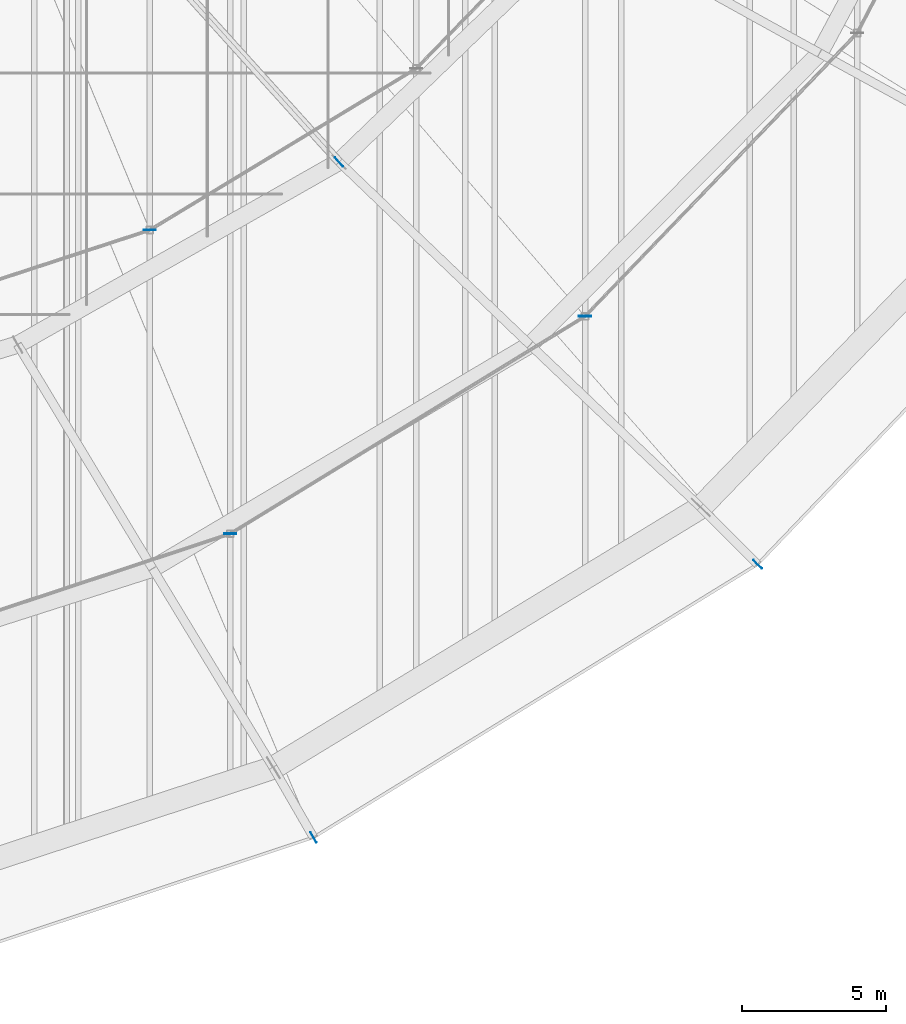
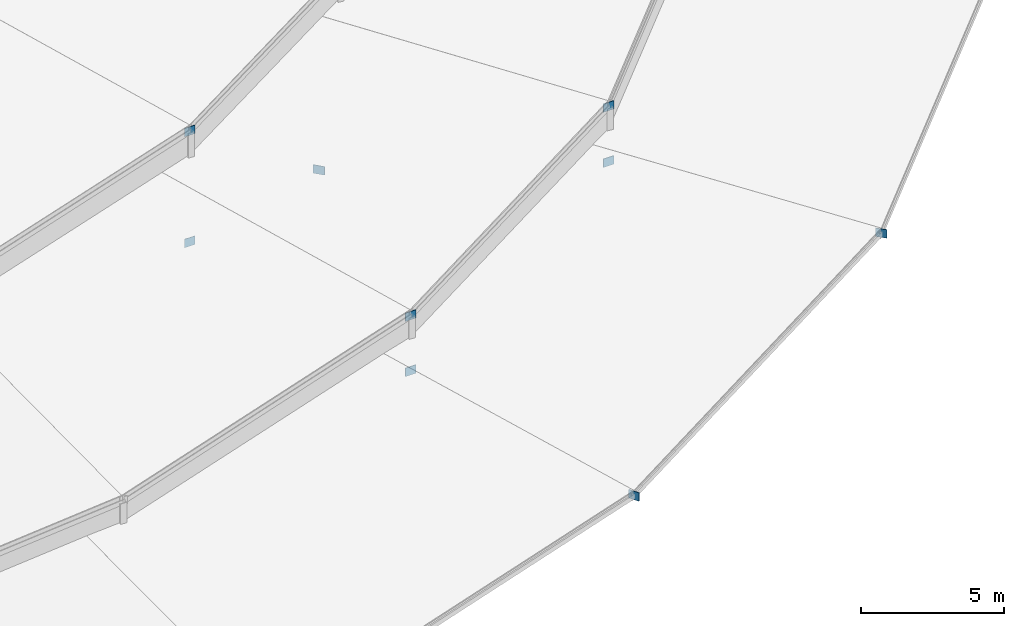
# One storey, part 165 of 184: 9 plates.
"""IFC4 building model written with IfcOpenShell, lengths in metres."""

import ifcopenshell
import ifcopenshell.guid

model = None  # the IFC model being written
_history = None  # IfcOwnerHistory: only IFC2X3 demands one
_inside = {}  # id of a spatial element -> (the spatial element, [elements in it])
_under = {}  # id of a project, library or spatial element -> (it, [spatial elements below it])
_declared = {}  # id of a project -> (the project, [libraries it declares])
_typed = {}  # id of a type object -> (the type object, [elements of that type])
_made_of = {}  # id of a material, layer set ... -> (it, [elements and type objects made of it])


def new_model(schema):
    """Start an empty IFC model of exactly this schema.

    Asked for "IFC4X3", IfcOpenShell would pick the latest addendum, in which some entities
    have other attributes; the version numbers below select the first issue.
    IFC2X3 requires an IfcOwnerHistory on every rooted entity: one is made here for all.
    """
    global model, _history
    if schema == "IFC4X3":
        model = ifcopenshell.file(schema_version=(4, 3, 0, 0))
    else:
        model = ifcopenshell.file(schema=schema)
    _inside.clear()
    _under.clear()
    _declared.clear()
    _typed.clear()
    _made_of.clear()
    _history = None
    if model.schema == "IFC2X3":
        org = make("IfcOrganization", Name="unknown")
        user = make(
            "IfcPersonAndOrganization",
            ThePerson=make("IfcPerson", FamilyName="unknown"),
            TheOrganization=org,
        )
        app = make(
            "IfcApplication",
            ApplicationDeveloper=org,
            Version="unknown",
            ApplicationFullName="unknown",
            ApplicationIdentifier="unknown",
        )
        _history = make(
            "IfcOwnerHistory",
            OwningUser=user,
            OwningApplication=app,
            ChangeAction="ADDED",
            CreationDate=0,
        )
    return model


def make(cls, **values):
    """One entity of the class cls with the attributes given. An attribute that is None is left unset."""
    return model.create_entity(
        cls, **{name: value for name, value in values.items() if value is not None}
    )


def rooted(cls, **values):
    """An entity with a GlobalId (a new one), such as an element, a storey or a relation."""
    return make(cls, GlobalId=ifcopenshell.guid.new(), OwnerHistory=_history, **values)


def si_unit(unit_type, name, prefix=None):
    """IfcSIUnit, for example si_unit("LENGTHUNIT", "METRE", prefix="MILLI")."""
    return make("IfcSIUnit", UnitType=unit_type, Prefix=prefix, Name=name)


def assignment(units):
    """IfcUnitAssignment: the units of a project."""
    return None if units is None else make("IfcUnitAssignment", Units=units)


def point(xyz):
    """IfcCartesianPoint."""
    return None if xyz is None else make("IfcCartesianPoint", Coordinates=xyz)


def direction(xyz):
    """IfcDirection."""
    return None if xyz is None else make("IfcDirection", DirectionRatios=xyz)


def frame(location, z_axis=None, x_axis=None):
    """IfcAxis2Placement3D, a coordinate frame: its origin and axes. An axis left out is left unset."""
    return make(
        "IfcAxis2Placement3D",
        Location=point(location),
        Axis=direction(z_axis),
        RefDirection=direction(x_axis),
    )


def frame_2d(location, x_axis=None):
    """IfcAxis2Placement2D, a coordinate frame in the plane: its origin and x axis."""
    return make(
        "IfcAxis2Placement2D", Location=point(location), RefDirection=direction(x_axis)
    )


def origin():
    """The frame at (0, 0, 0) with its axes left unset."""
    return frame((0.0, 0.0, 0.0))


def origin_2d():
    """The frame at (0, 0) in the plane with its x axis left unset."""
    return frame_2d((0.0, 0.0))


def place(relative_to, where):
    """IfcLocalPlacement: puts the frame where relative to a parent placement (None: the world)."""
    return make(
        "IfcLocalPlacement", PlacementRelTo=relative_to, RelativePlacement=where
    )


def context(
    kind, dimensions, precision=None, world=None, true_north=None, identifier=None
):
    """IfcGeometricRepresentationContext, for example the 3D "Model" context."""
    return make(
        "IfcGeometricRepresentationContext",
        ContextIdentifier=identifier,
        ContextType=kind,
        CoordinateSpaceDimension=dimensions,
        Precision=precision,
        WorldCoordinateSystem=world,
        TrueNorth=true_north,
    )


def subcontext(parent, identifier, kind, view, scale=None):
    """IfcGeometricRepresentationSubContext, for example "Body" below "Model"."""
    return make(
        "IfcGeometricRepresentationSubContext",
        ContextIdentifier=identifier,
        ContextType=kind,
        ParentContext=parent,
        TargetScale=scale,
        TargetView=view,
    )


def project(units=None, contexts=None):
    """IfcProject with its units and contexts."""
    return rooted(
        "IfcProject",
        Name="project",
        RepresentationContexts=contexts,
        UnitsInContext=assignment(units),
    )


def spatial(cls, under=None, at=None, **own):
    """A site, building, storey or space (cls), placed at a placement, below another one or the project."""
    s = rooted(cls, ObjectPlacement=at, **own)
    if under is not None:
        _under.setdefault(under.id(), (under, []))[1].append(s)
    return s


def profile(cls, at=None, kind="AREA", **sizes):
    """A parametric profile (cls). Its sizes go by their IFC names, for example OverallWidth=200.0."""
    return make(cls, ProfileType=kind, Position=at, **sizes)


def rectangle(**sizes):
    """IfcRectangleProfileDef."""
    return profile("IfcRectangleProfileDef", **sizes)


def extrude(swept, where, along, depth):
    """IfcExtrudedAreaSolid: the profile swept, set in the frame where, extruded along a direction by depth."""
    return make(
        "IfcExtrudedAreaSolid",
        SweptArea=swept,
        Position=where,
        ExtrudedDirection=direction(along),
        Depth=depth,
    )


def shape(context_of_items, identifier, shape_type, items):
    """IfcShapeRepresentation: the items that make up one representation, for example the "Body"."""
    return make(
        "IfcShapeRepresentation",
        ContextOfItems=context_of_items,
        RepresentationIdentifier=identifier,
        RepresentationType=shape_type,
        Items=items,
    )


def material(Name=None, Category=None):
    """IfcMaterial."""
    return make("IfcMaterial", Name=Name, Category=Category)


def layer(
    of_material, thickness, ventilated=None, Name=None, Category=None, Priority=None
):
    """IfcMaterialLayer: one layer of a wall or slab, of a material (None: an air gap)."""
    return make(
        "IfcMaterialLayer",
        Material=of_material,
        LayerThickness=thickness,
        IsVentilated=ventilated,
        Name=Name,
        Category=Category,
        Priority=Priority,
    )


def layer_set(layers, Name=None):
    """IfcMaterialLayerSet."""
    return make("IfcMaterialLayerSet", MaterialLayers=layers, LayerSetName=Name)


def made_of(thing, what):
    """Note that an element or type object is made of a material, layer set ...; save() writes the relation."""
    if what is not None:
        _made_of.setdefault(what.id(), (what, []))[1].append(thing)
    return thing


def type_object(cls, material=None, **own):
    """A type object (cls), such as IfcWallType, which elements share."""
    return made_of(rooted(cls, **own), material)


def element(
    cls,
    number,
    at=None,
    inside=None,
    cuts=None,
    type_object=None,
    material=None,
    context=None,
    identifier="Body",
    shape_type=None,
    held_by="IfcProductDefinitionShape",
    body=None,
    shapes=None,
    **own,
):
    """One element of the class cls, such as IfcWall. Its Tag is "e" and its number.

    at: its placement. inside: the storey or other place that contains it. cuts: it is an
    opening in that element (IfcRelVoidsElement). A single representation is given by context,
    identifier, shape_type and body (its items); several are given by shapes. held_by: the class
    of the entity that holds the representations. save() writes the other relations.
    """
    e = rooted(cls, Tag="e%d" % number, ObjectPlacement=at, **own)
    if body is not None:
        shapes = [shape(context, identifier, shape_type, body)]
    if shapes is not None:
        e.Representation = make(held_by, Representations=shapes)
    if inside is not None:
        _inside.setdefault(inside.id(), (inside, []))[1].append(e)
    if cuts is not None:
        rooted(
            "IfcRelVoidsElement", RelatingBuildingElement=cuts, RelatedOpeningElement=e
        )
    if type_object is not None:
        _typed.setdefault(type_object.id(), (type_object, []))[1].append(e)
    return made_of(e, material)


def aggregate(whole, parts):
    """IfcRelAggregates: a whole, such as a stair, and the parts it consists of."""
    return rooted("IfcRelAggregates", RelatingObject=whole, RelatedObjects=parts)


def save(model, path):
    """Write the relations noted so far, then the file.

    IfcRelAggregates (storeys below a building ...), IfcRelContainedInSpatialStructure (elements
    in a storey), IfcRelDefinesByType, IfcRelAssociatesMaterial and IfcRelDeclares: one each for
    every whole, place, type object, material and project.
    """
    for whole, parts in _under.values():
        aggregate(whole, parts)
    for where, things in _inside.values():
        rooted(
            "IfcRelContainedInSpatialStructure",
            RelatedElements=things,
            RelatingStructure=where,
        )
    for kind, things in _typed.values():
        rooted("IfcRelDefinesByType", RelatedObjects=things, RelatingType=kind)
    for what, things in _made_of.values():
        rooted("IfcRelAssociatesMaterial", RelatedObjects=things, RelatingMaterial=what)
    for by, libraries in _declared.values():
        rooted("IfcRelDeclares", RelatingContext=by, RelatedDefinitions=libraries)
    model.write(path)


model = new_model("IFC4")

# Units and contexts
model_context = context("Model", 3, precision=1e-05, world=origin(), true_north=direction((0.0, 1.0)))
body_context = subcontext(model_context, "Body", "Model", "MODEL_VIEW")
ifc_project = project(units=[si_unit("LENGTHUNIT", "METRE"), si_unit("AREAUNIT", "SQUARE_METRE"), si_unit("VOLUMEUNIT", "CUBIC_METRE"), si_unit("PLANEANGLEUNIT", "RADIAN"), si_unit("MASSUNIT", "GRAM", prefix="KILO")], contexts=[model_context])

# Site, building, storey
site_placement = place(None, origin())
site = spatial("IfcSite", under=ifc_project, at=site_placement, CompositionType="ELEMENT")
building_placement = place(site_placement, origin())
building = spatial("IfcBuilding", under=site, at=building_placement, Name="Kalgoora Escarpment Arena", CompositionType="ELEMENT")
storey_placement = place(building_placement, frame((0.0, 0.0, 27.60009765625)))
storey = spatial("IfcBuildingStorey", under=building, at=storey_placement, Name="Roof Level", CompositionType="ELEMENT", Elevation=27.60009765625)

# Plates
ifc_material = material(Name="Structural steel Grade 350 (350 MPa)", Category="steel")
ifc_layer = layer(ifc_material, 0.02490234375)
ifc_layer_set = layer_set([ifc_layer], Name="PLT-GUSSET-25")
plate_type = type_object("IfcPlateType", Name="PLT-GUSSET-25", PredefinedType="USERDEFINED", material=ifc_layer_set)
for number, where, z_axis, x_axis, name in (
    (1, (130.583740234375, 35.7158203125, -1.88037109375), (0.0, 0.0, 1.0), (-0.670426618959, 0.741975840976, 0.0), "Brace and post end gusset plate 144"),
    (2, (129.699951171875, 12.211669921875, -1.18017578125), (0.0, 0.0, 1.0), (0.5, -0.866025403784, 0.0), "Brace and post end gusset plate 175"),
    (3, (145.150146484375, 21.715087890625, -1.18017578125), (0.0, 0.0, 1.0), (0.707106781187, -0.707106781187, 0.0), "Brace and post end gusset plate 176"),
    (4, (126.800048828125, 22.777099609375, -1.26025390625), (0.0, 0.0, 1.0), (1.0, 0.0, 0.0), "Brace and post end gusset plate 219"),
    (5, (126.800048828125, 22.777099609375, 1.0849609375), (0.0, 0.0, 1.0), (1.0, 0.0, 0.0), "Brace and post end gusset plate 220"),
    (6, (139.1435546875, 30.341796875, -1.26025390625), (0.0, 0.0, 1.0), (1.0, 0.0, 0.0), "Brace and post end gusset plate 221"),
    (7, (139.1435546875, 30.341796875, 1.0849609375), (0.0, 0.0, 1.0), (1.0, 0.0, 0.0), "Brace and post end gusset plate 222"),
    (8, (124.0, 33.3427734375, -1.2001953125), (0.0, 0.0, 1.0), (1.0, 0.0, 0.0), "Brace and post end gusset plate 266"),
    (9, (124.0, 33.3427734375, 3.52490234375), (0.0, 0.0, 1.0), (1.0, 0.0, 0.0), "Brace and post end gusset plate 267"),
):
    element("IfcPlate", number, at=place(storey_placement, frame(where, z_axis=z_axis, x_axis=x_axis)), inside=storey, type_object=plate_type, Name=name, ObjectType="FLANGE PLATE", PredefinedType="USERDEFINED", context=body_context, shape_type="SweptSolid", body=[
        extrude(rectangle(XDim=0.419921875, YDim=0.02490234375, at=origin_2d()), origin(), (0.0, 0.0, 1.0), 0.360107421875),
    ])

save(model, "model.ifc")
